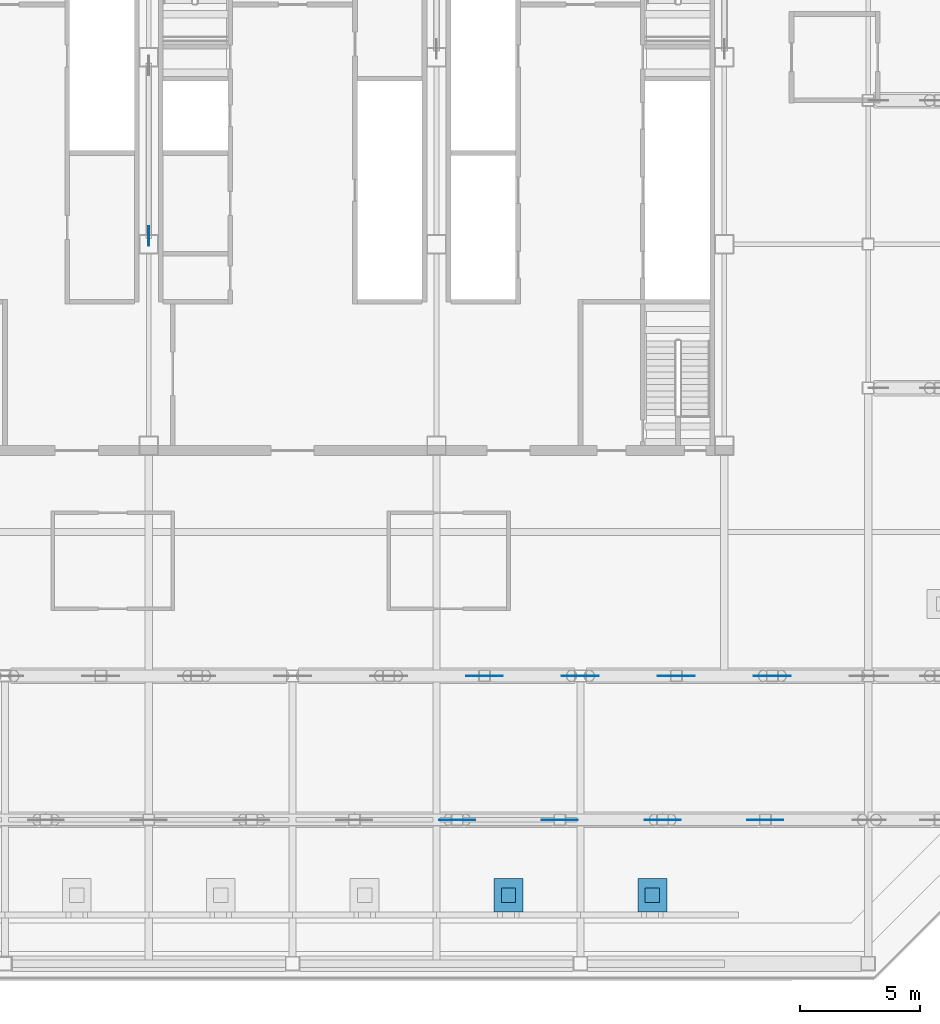
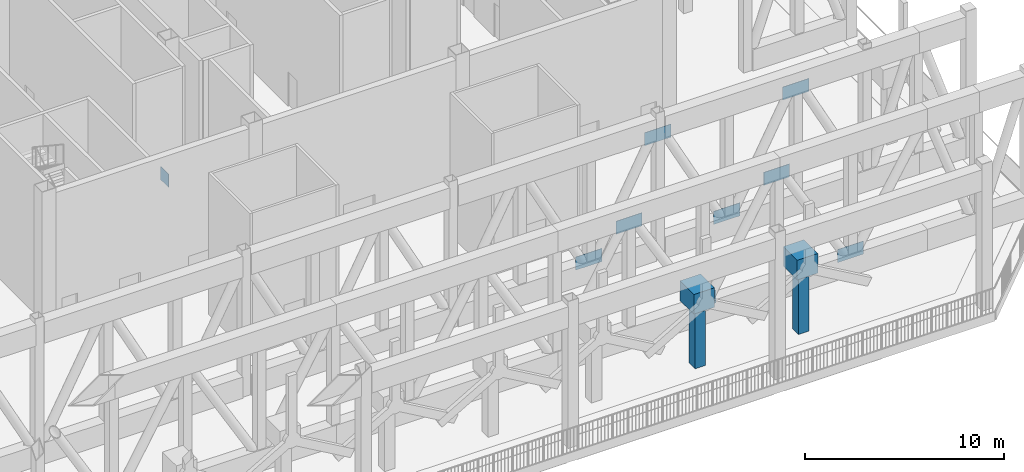
# One storey, part 12 of 22: 13 discrete accessories.
"""IFC4 building model written with IfcOpenShell, lengths in metres."""

from ifc_helpers import new_model, si_unit, direction, frame, origin, origin_2d, place, context, subcontext, project, spatial, rectangle, extrude, material, layer, layer_set, type_object, element, save


model = new_model("IFC4")

# Units and contexts
model_context = context("Model", 3, precision=1e-05, world=origin(), true_north=direction((0.0, 1.0)))
body_context = subcontext(model_context, "Body", "Model", "MODEL_VIEW")
ifc_project = project(units=[si_unit("LENGTHUNIT", "METRE"), si_unit("AREAUNIT", "SQUARE_METRE"), si_unit("VOLUMEUNIT", "CUBIC_METRE"), si_unit("PLANEANGLEUNIT", "RADIAN"), si_unit("MASSUNIT", "GRAM", prefix="KILO")], contexts=[model_context])

# Site, building, storey
site_placement = place(None, origin())
site = spatial("IfcSite", under=ifc_project, at=site_placement, CompositionType="ELEMENT")
building_placement = place(site_placement, origin())
building = spatial("IfcBuilding", under=site, at=building_placement, Name="Sorahane Residences", CompositionType="ELEMENT")
storey_placement = place(building_placement, frame((0.0, 0.0, 281.800048828125)))
storey = spatial("IfcBuildingStorey", under=building, at=storey_placement, Name="L67", CompositionType="ELEMENT", Elevation=281.800048828125)

# Discrete accessories
ifc_material_1 = material(Name="Steel Q355B", Category="steel")
ifc_layer_1 = layer(ifc_material_1, 0.02490234375)
ifc_layer_set_1 = layer_set([ifc_layer_1], Name="Node plate Steel Q355B 25")
discrete_accessory_type_1 = type_object("IfcDiscreteAccessoryType", Name="Node plate Steel Q355B 25", PredefinedType="BRACKET", material=ifc_layer_set_1)
discrete_accessory_1_placement = place(storey_placement, frame((18.0, 30.343505859375, -0.33935546875), z_axis=(0.0, 0.0, 1.0), x_axis=(0.0, 1.0, 0.0)))
element("IfcDiscreteAccessory", 1, at=discrete_accessory_1_placement, inside=storey, type_object=discrete_accessory_type_1, Name="Node plate L67 br", PredefinedType="BRACKET", context=body_context, shape_type="SweptSolid", body=[
    extrude(rectangle(XDim=0.800048828125, YDim=0.02490234375, at=origin_2d()), origin(), (0.0, 0.0, 1.0), 0.800048828125),
])
ifc_material_2 = material(Name="Steel Q420GJ", Category="steel")
ifc_layer_2 = layer(ifc_material_2, 0.02490234375)
ifc_layer_set_2 = layer_set([ifc_layer_2], Name="Node plate Steel Q420GJ 25")
discrete_accessory_type_2 = type_object("IfcDiscreteAccessoryType", Name="Node plate Steel Q420GJ 25", PredefinedType="BRACKET", material=ifc_layer_set_2)
discrete_accessory_2_placement = place(storey_placement, frame((35.142822265625, 6.0, 0.833984375), z_axis=(0.0, 0.0, 1.0), x_axis=(1.0, 0.0, 0.0)))
element("IfcDiscreteAccessory", 2, at=discrete_accessory_2_placement, inside=storey, type_object=discrete_accessory_type_2, Name="Node plate L67 tr", PredefinedType="BRACKET", context=body_context, shape_type="SweptSolid", body=[
    extrude(rectangle(XDim=1.4970703125, YDim=0.02490234375, at=origin_2d()), origin(), (0.0, 0.0, 1.0), 0.800048828125),
])
discrete_accessory_3_placement = place(storey_placement, frame((43.710693359375, 6.0, 0.832763671875), z_axis=(0.0, 0.0, 1.0), x_axis=(1.0, 0.0, 0.0)))
element("IfcDiscreteAccessory", 3, at=discrete_accessory_3_placement, inside=storey, type_object=discrete_accessory_type_2, Name="Node plate L67 tr", PredefinedType="BRACKET", context=body_context, shape_type="SweptSolid", body=[
    extrude(rectangle(XDim=1.48974609375, YDim=0.02490234375, at=origin_2d()), origin(), (0.0, 0.0, 1.0), 0.80126953125),
])
for number, where, z_axis, x_axis, name in (
    (4, (30.857177734375, 6.0, 7.06591796875), (0.0, 0.0, 1.0), (1.0, 0.0, 0.0), "Node plate L67 tr"),
    (5, (39.4287109375, 6.0, 7.06591796875), (0.0, 0.0, 1.0), (1.0, 0.0, 0.0), "Node plate L67 tr"),
):
    element("IfcDiscreteAccessory", number, at=place(storey_placement, frame(where, z_axis=z_axis, x_axis=x_axis)), inside=storey, type_object=discrete_accessory_type_2, Name=name, PredefinedType="BRACKET", context=body_context, shape_type="SweptSolid", body=[
        extrude(rectangle(XDim=1.4970703125, YDim=0.02490234375, at=origin_2d()), origin(), (0.0, 0.0, 1.0), 0.800048828125),
    ])
for number, where, z_axis, x_axis, name in (
    (6, (32.0, 12.0, 0.837890625), (0.0, 0.0, 1.0), (1.0, 0.0, 0.0), "Node plate L67 tr"),
    (7, (40.0, 12.0, 0.837890625), (0.0, 0.0, 1.0), (1.0, 0.0, 0.0), "Node plate L67 tr"),
    (8, (36.0, 12.0, 7.06201171875), (0.0, 0.0, 1.0), (1.0, 0.0, 0.0), "Node plate L67 tr"),
    (9, (44.0, 12.0, 7.06201171875), (0.0, 0.0, 1.0), (1.0, 0.0, 0.0), "Node plate L67 tr"),
):
    element("IfcDiscreteAccessory", number, at=place(storey_placement, frame(where, z_axis=z_axis, x_axis=x_axis)), inside=storey, type_object=discrete_accessory_type_2, Name=name, PredefinedType="BRACKET", context=body_context, shape_type="SweptSolid", body=[
        extrude(rectangle(XDim=1.5380859375, YDim=0.02490234375, at=origin_2d()), origin(), (0.0, 0.0, 1.0), 0.800048828125),
    ])
ifc_material_3 = material(Name="Black powder-coated steel mast", Category="steel")
discrete_accessory_type_3 = type_object("IfcDiscreteAccessoryType", Name="Wind generator mast dark steel 600", PredefinedType="USERDEFINED", material=ifc_material_3)
for number, where, z_axis, x_axis, name in (
    (10, (33.0, 2.85009765625, 0.0), (0.0, 0.0, 1.0), (1.0, 0.0, 0.0), "Wind generator mast L67-07"),
    (11, (39.0, 2.85009765625, 0.0), (0.0, 0.0, 1.0), (1.0, 0.0, 0.0), "Wind generator mast L67-08"),
):
    element("IfcDiscreteAccessory", number, at=place(storey_placement, frame(where, z_axis=z_axis, x_axis=x_axis)), inside=storey, type_object=discrete_accessory_type_3, Name=name, ObjectType="Turbine mast", PredefinedType="USERDEFINED", context=body_context, shape_type="SweptSolid", body=[
        extrude(rectangle(XDim=0.60009765625, YDim=0.60009765625, at=origin_2d()), origin(), (0.0, 0.0, 1.0), 3.699951171875),
    ])
ifc_material_4 = material(Name="White powder-coated steel", Category="steel")
ifc_layer_3 = layer(ifc_material_4, 0.25)
ifc_layer_set_3 = layer_set([ifc_layer_3], Name="Wind generator nacelle white steel 1400x1200")
discrete_accessory_type_4 = type_object("IfcDiscreteAccessoryType", Name="Wind generator nacelle white steel 1400x1200", PredefinedType="USERDEFINED", material=ifc_layer_set_3)
for number, where, z_axis, x_axis, name in (
    (12, (33.0, 2.85009765625, 3.7001953125), (0.0, 0.0, 1.0), (1.0, 0.0, 0.0), "Wind generator nacelle L67-07"),
    (13, (39.0, 2.85009765625, 3.7001953125), (0.0, 0.0, 1.0), (1.0, 0.0, 0.0), "Wind generator nacelle L67-08"),
):
    element("IfcDiscreteAccessory", number, at=place(storey_placement, frame(where, z_axis=z_axis, x_axis=x_axis)), inside=storey, type_object=discrete_accessory_type_4, Name=name, ObjectType="Turbine hub cap", PredefinedType="USERDEFINED", context=body_context, shape_type="SweptSolid", body=[
        extrude(rectangle(XDim=1.199951171875, YDim=1.39990234375, at=origin_2d()), origin(), (0.0, 0.0, 1.0), 1.199951171875),
    ])

save(model, "model.ifc")
